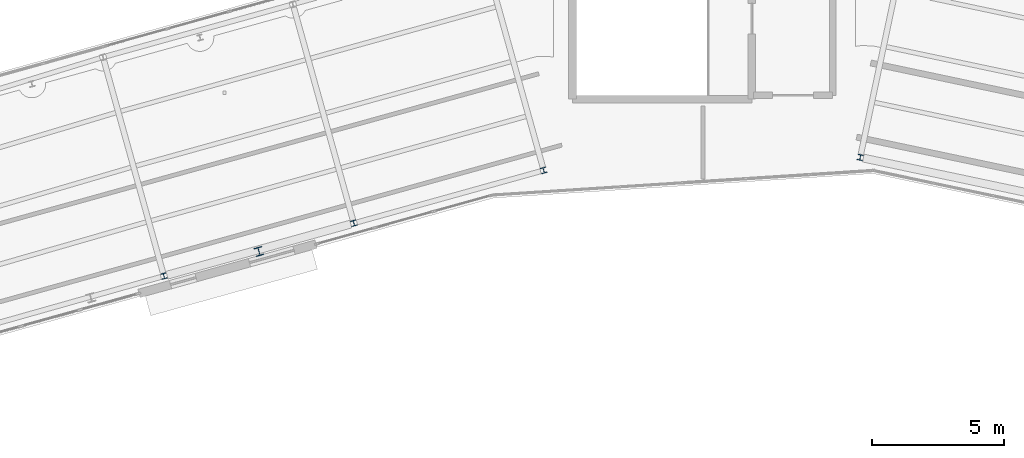
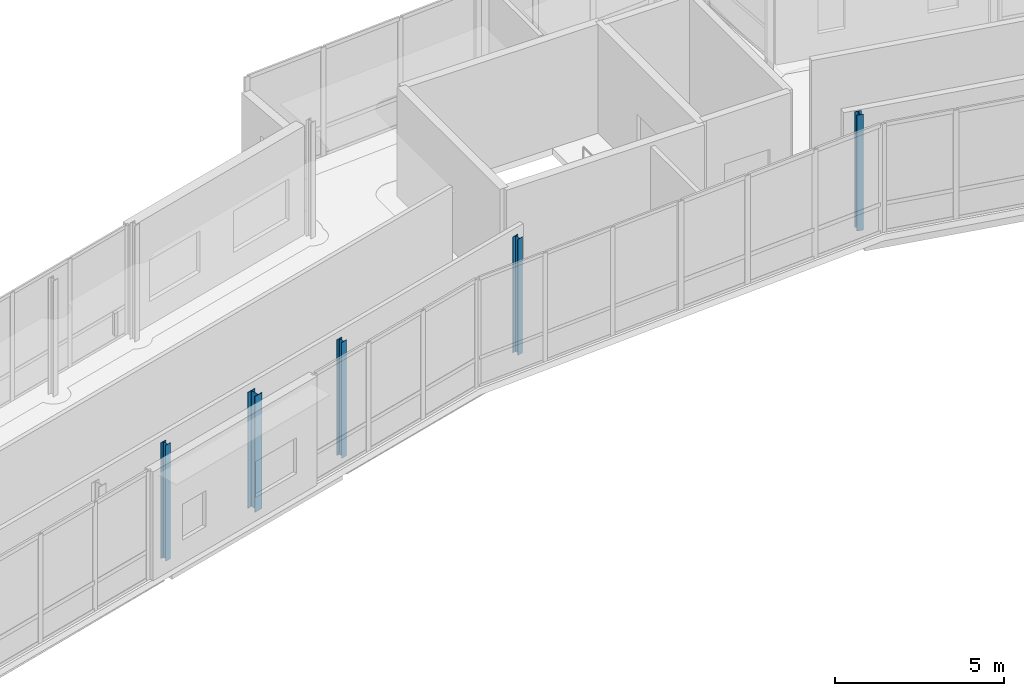
# One storey, part 5 of 125: 5 columns.
"""IFC4 building model written with IfcOpenShell, lengths in metres."""

from ifc_helpers import new_model, si_unit, direction, frame, origin, origin_2d, place, context, subcontext, project, spatial, i_section, extrude, material, material_profile, profile_set, type_object, element, save


model = new_model("IFC4")

# Units and contexts
model_context = context("Model", 3, precision=1e-05, world=origin(), true_north=direction((0.0, 1.0)))
body_context = subcontext(model_context, "Body", "Model", "MODEL_VIEW")
ifc_project = project(units=[si_unit("LENGTHUNIT", "METRE"), si_unit("AREAUNIT", "SQUARE_METRE"), si_unit("VOLUMEUNIT", "CUBIC_METRE"), si_unit("PLANEANGLEUNIT", "RADIAN"), si_unit("MASSUNIT", "GRAM", prefix="KILO")], contexts=[model_context])

# Site, building, storey
site_placement = place(None, origin())
site = spatial("IfcSite", under=ifc_project, at=site_placement, CompositionType="ELEMENT")
building_placement = place(site_placement, origin())
building = spatial("IfcBuilding", under=site, at=building_placement, Name="Wrenclough Park School", CompositionType="ELEMENT")
storey_placement = place(building_placement, frame((0.0, 0.0, 4.199951171875)))
storey = spatial("IfcBuildingStorey", under=building, at=storey_placement, Name="L01", CompositionType="ELEMENT", Elevation=4.199951171875)

# Columns
ifc_material = material(Name="Structural steel S355", Category="steel")
ifc_material_profile_1 = material_profile(ifc_material, i_section(OverallWidth=0.205810546875, OverallDepth=0.209716796875, WebThickness=0.009521484375, FlangeThickness=0.01416015625, FilletRadius=0.01025390625, at=origin_2d()), Name="UKC 203x203x60")
ifc_profile_set_1 = profile_set([ifc_material_profile_1], Name="Structural steel S355")
column_type_1 = type_object("IfcColumnType", Name="STR-COL-UKC203B", PredefinedType="COLUMN", material=ifc_profile_set_1)
for number, where, z_axis, x_axis, name in (
    (1, (73.590087890625, 29.357421875, 0.0), (0.0, 0.0, 1.0), (0.963396876837, 0.268079200424, 0.0), "W12 L01 column W12-C1-R05"),
    (2, (80.777587890625, 31.357421875, 0.0), (0.0, 0.0, 1.0), (0.963396876837, 0.268079200424, 0.0), "W12 L01 column W12-C1-R06"),
    (3, (87.965087890625, 33.357421875, 0.0), (0.0, 0.0, 1.0), (0.963396876837, 0.268079200424, 0.0), "W12 L01 column W12-C1-R07"),
    (4, (99.944091796875, 33.848388671875, 0.0), (0.0, 0.0, 1.0), (0.978364788978, -0.206887263232, 0.0), "W12 L01 column W12-C2-R01"),
):
    element("IfcColumn", number, at=place(storey_placement, frame(where, z_axis=z_axis, x_axis=x_axis)), inside=storey, type_object=column_type_1, Name=name, PredefinedType="COLUMN", context=body_context, shape_type="SweptSolid", body=[
        extrude(i_section(OverallWidth=0.205810546875, OverallDepth=0.209716796875, WebThickness=0.009521484375, FlangeThickness=0.01416015625, FilletRadius=0.01025390625, at=origin_2d()), origin(), (0.0, 0.0, 1.0), 4.199951171875),
    ])
ifc_material_profile_2 = material_profile(ifc_material, i_section(OverallWidth=0.307373046875, OverallDepth=0.314453125, WebThickness=0.011962890625, FlangeThickness=0.018798828125, FilletRadius=0.01513671875, at=origin_2d()), Name="UKC 305x305x118")
ifc_profile_set_2 = profile_set([ifc_material_profile_2], Name="Structural steel S355")
column_type_2 = type_object("IfcColumnType", Name="STR-COL-UKC305A", PredefinedType="COLUMN", material=ifc_profile_set_2)
column_placement = place(storey_placement, frame((77.18701171875, 30.287109375, 0.0), z_axis=(0.0, 0.0, 1.0), x_axis=(0.964002648928, 0.265892634084, 0.0)))
element("IfcColumn", 5, at=column_placement, inside=storey, type_object=column_type_2, Name="W12 L01 column EAVE-ENTRANCE-F4", PredefinedType="COLUMN", context=body_context, shape_type="SweptSolid", body=[
    extrude(i_section(OverallWidth=0.307373046875, OverallDepth=0.314453125, WebThickness=0.011962890625, FlangeThickness=0.018798828125, FilletRadius=0.01513671875, at=origin_2d()), origin(), (0.0, 0.0, 1.0), 4.199951171875),
])

save(model, "model.ifc")
